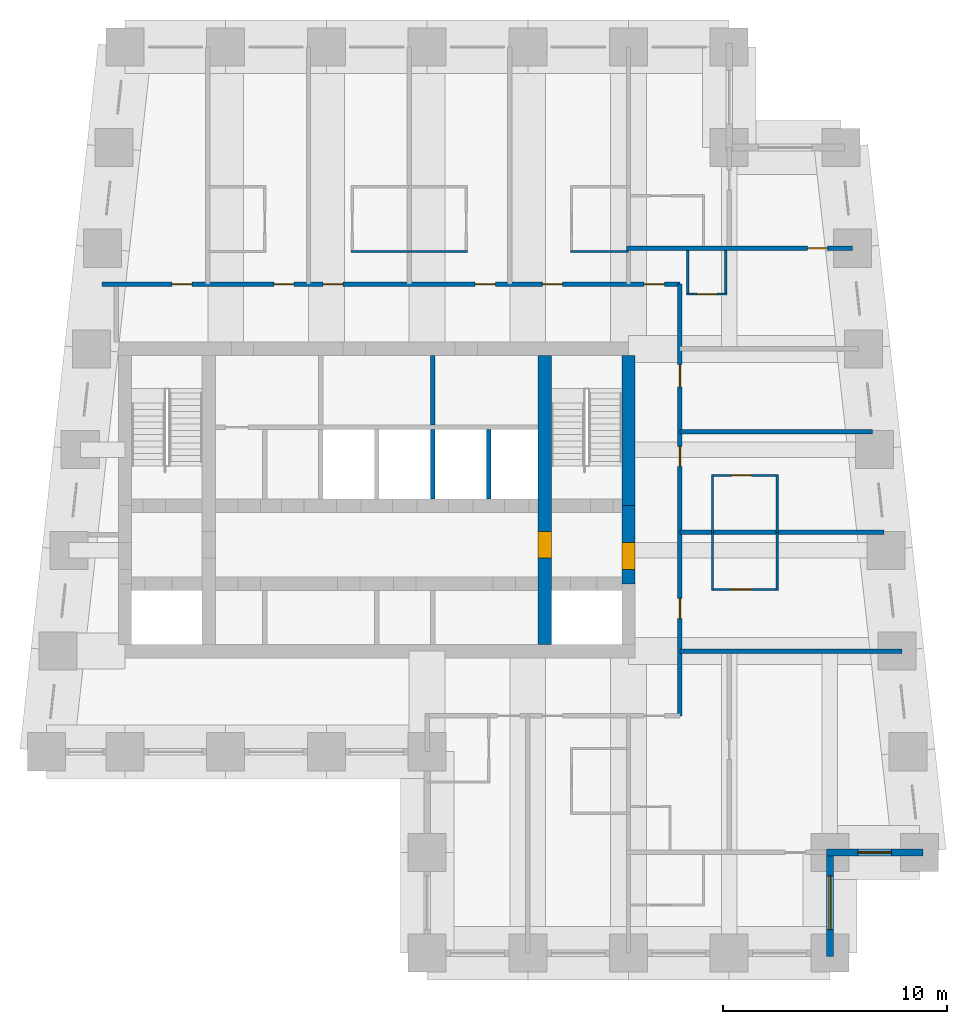
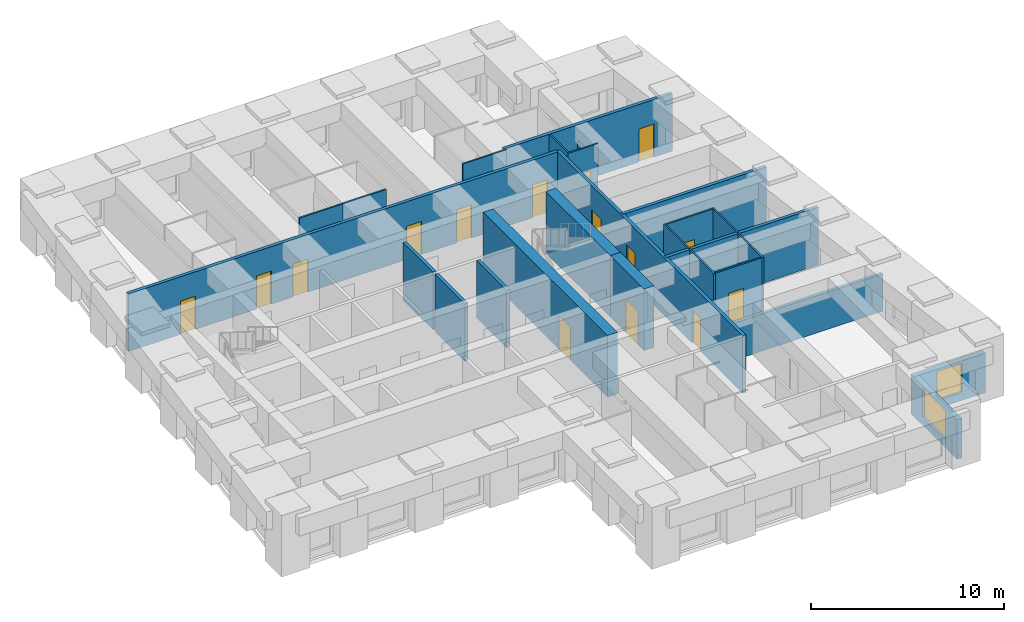
# One storey, part 4 of 7: 26 walls, 15 doors, 2 windows, 17 openings.
"""IFC4 building model written with IfcOpenShell, lengths in metres."""

from ifc_helpers import new_model, si_unit, direction, frame, frame_2d, origin, place, context, subcontext, project, spatial, rectangle, extrude, material, layer, layer_set, type_object, element, fill, save


model = new_model("IFC4")

# Units and contexts
model_context = context("Model", 3, precision=1e-05, world=origin(), true_north=direction((0.0, 1.0)))
body_context = subcontext(model_context, "Body", "Model", "MODEL_VIEW")
ifc_project = project(units=[si_unit("LENGTHUNIT", "METRE"), si_unit("AREAUNIT", "SQUARE_METRE"), si_unit("VOLUMEUNIT", "CUBIC_METRE"), si_unit("PLANEANGLEUNIT", "RADIAN"), si_unit("MASSUNIT", "GRAM", prefix="KILO")], contexts=[model_context])

# Site, building, storey
site_placement = place(None, origin())
site = spatial("IfcSite", under=ifc_project, at=site_placement, CompositionType="ELEMENT")
building_placement = place(site_placement, origin())
building = spatial("IfcBuilding", under=site, at=building_placement, Name="Kilele Tower Hotel", CompositionType="ELEMENT")
storey_placement = place(building_placement, frame((0.0, 0.0, 221.300048828125)))
storey = spatial("IfcBuildingStorey", under=building, at=storey_placement, Name="L57", CompositionType="ELEMENT", Elevation=221.300048828125)

# Walls
ifc_material_1 = material(Name="Moisture-resistant board")
ifc_layer_1 = layer(ifc_material_1, 0.10009765625)
ifc_layer_set_1 = layer_set([ifc_layer_1], Name="Moisture-resistant board")
wall_type_1 = type_object("IfcWallType", Name="Bathroom partition 100", PredefinedType="PLUMBINGWALL", material=ifc_layer_set_1)
for number, where, z_axis, x_axis, name in (
    (1, (39.75, 16.199951171875, 0.0), (0.0, 0.0, 1.0), (0.0, 1.0, 0.0), "Bathroom partition 100 L57"),
    (2, (42.64990234375, 16.199951171875, 0.0), (0.0, 0.0, 1.0), (0.0, 1.0, 0.0), "Bathroom partition 100 L57"),
):
    element("IfcWall", number, at=place(storey_placement, frame(where, z_axis=z_axis, x_axis=x_axis)), inside=storey, type_object=wall_type_1, Name=name, PredefinedType="PLUMBINGWALL", context=body_context, shape_type="SweptSolid", body=[
        extrude(rectangle(XDim=2.60009765625, YDim=0.10009765625, at=frame_2d((1.300048828125, 0.0))), origin(), (0.0, 0.0, 1.0), 3.64990234375),
    ])

# Wall, opening, door
wall_1_placement = place(storey_placement, frame((39.699951171875, 16.25, 0.0), z_axis=(0.0, 0.0, 1.0), x_axis=(1.0, 0.0, 0.0)))
wall_1 = element("IfcWall", 3, at=wall_1_placement, inside=storey, type_object=wall_type_1, Name="Bathroom partition 100 L57", PredefinedType="PLUMBINGWALL", context=body_context, shape_type="SweptSolid", body=[
    extrude(rectangle(XDim=3.0, YDim=0.10009765625, at=frame_2d((1.5, 0.0))), origin(), (0.0, 0.0, 1.0), 3.64990234375),
])
opening_1_placement = place(wall_1_placement, frame((1.7998046875, 0.0, 0.0), z_axis=(0.0, 0.0, 1.0), x_axis=(-1.0, 0.0, 0.0)))
opening_1 = element("IfcOpeningElement", 4, at=opening_1_placement, cuts=wall_1, Name="Opening D2A", PredefinedType="OPENING", context=body_context, shape_type="SweptSolid", body=[
    extrude(rectangle(XDim=0.89990234375, YDim=2.10009765625, at=frame_2d((0.449951171875, 1.050048828125))), frame((0.0, 0.06005859375, 0.0), z_axis=(0.0, -1.0, 0.0), x_axis=(1.0, 0.0, 0.0)), (0.0, 0.0, 1.0), 0.1201171875),
])
ifc_material_2 = material(Name="Timber door leaf in hardwood frame", Category="wood")
door_type_1 = type_object("IfcDoorType", Name="Bathroom door 900", OperationType="SINGLE_SWING_LEFT", PredefinedType="DOOR", material=ifc_material_2)
door_1_placement = place(opening_1_placement, origin())
door_1 = element("IfcDoor", 5, at=door_1_placement, inside=storey, type_object=door_type_1, Name="Bathroom door 5704B", OperationType="SINGLE_SWING_RIGHT", OverallHeight=2.10009765625, OverallWidth=0.89990234375, PredefinedType="DOOR", context=body_context, shape_type="SweptSolid", body=[
    extrude(rectangle(XDim=0.89990234375, YDim=2.10009765625, at=frame_2d((0.449951171875, 1.050048828125))), frame((0.0, 0.02490234375, 0.0), z_axis=(0.0, -1.0, 0.0), x_axis=(1.0, 0.0, 0.0)), (0.0, 0.0, 1.0), 0.050048828125),
])
fill(opening_1, door_1)

# Walls
for number, where, z_axis, x_axis, name in (
    (6, (39.75, 18.800048828125, 0.0), (0.0, 0.0, 1.0), (0.0, 1.0, 0.0), "Bathroom partition 100 L57"),
    (7, (42.64990234375, 18.800048828125, 0.0), (0.0, 0.0, 1.0), (0.0, 1.0, 0.0), "Bathroom partition 100 L57"),
):
    element("IfcWall", number, at=place(storey_placement, frame(where, z_axis=z_axis, x_axis=x_axis)), inside=storey, type_object=wall_type_1, Name=name, PredefinedType="PLUMBINGWALL", context=body_context, shape_type="SweptSolid", body=[
        extrude(rectangle(XDim=2.599853515625, YDim=0.10009765625, at=frame_2d((1.2998046875, 0.0))), origin(), (0.0, 0.0, 1.0), 3.64990234375),
    ])

# Wall, opening, door
wall_2_placement = place(storey_placement, frame((39.699951171875, 21.35009765625, 0.0), z_axis=(0.0, 0.0, 1.0), x_axis=(1.0, 0.0, 0.0)))
wall_2 = element("IfcWall", 8, at=wall_2_placement, inside=storey, type_object=wall_type_1, Name="Bathroom partition 100 L57", PredefinedType="PLUMBINGWALL", context=body_context, shape_type="SweptSolid", body=[
    extrude(rectangle(XDim=3.0, YDim=0.10009765625, at=frame_2d((1.5, 0.0))), origin(), (0.0, 0.0, 1.0), 3.64990234375),
])
opening_2_placement = place(wall_2_placement, frame((0.89990234375, 0.0, 0.0)))
opening_2 = element("IfcOpeningElement", 9, at=opening_2_placement, cuts=wall_2, Name="Opening D2A", PredefinedType="OPENING", context=body_context, shape_type="SweptSolid", body=[
    extrude(rectangle(XDim=0.89990234375, YDim=2.10009765625, at=frame_2d((0.449951171875, 1.050048828125))), frame((0.0, 0.06005859375, 0.0), z_axis=(0.0, -1.0, 0.0), x_axis=(1.0, 0.0, 0.0)), (0.0, 0.0, 1.0), 0.1201171875),
])
door_2_placement = place(opening_2_placement, origin())
door_2 = element("IfcDoor", 10, at=door_2_placement, inside=storey, type_object=door_type_1, Name="Bathroom door 5705B", OperationType="SINGLE_SWING_LEFT", OverallHeight=2.10009765625, OverallWidth=0.89990234375, PredefinedType="DOOR", context=body_context, shape_type="SweptSolid", body=[
    extrude(rectangle(XDim=0.89990234375, YDim=2.10009765625, at=frame_2d((0.449951171875, 1.050048828125))), frame((0.0, 0.02490234375, 0.0), z_axis=(0.0, -1.0, 0.0), x_axis=(1.0, 0.0, 0.0)), (0.0, 0.0, 1.0), 0.050048828125),
])
fill(opening_2, door_2)

# Walls
wall_3_placement = place(storey_placement, frame((23.60009765625, 31.35009765625, 0.0), z_axis=(0.0, 0.0, 1.0), x_axis=(1.0, 0.0, 0.0)))
element("IfcWall", 11, at=wall_3_placement, inside=storey, type_object=wall_type_1, Name="Bathroom partition 100 L57", PredefinedType="PLUMBINGWALL", context=body_context, shape_type="SweptSolid", body=[
    extrude(rectangle(XDim=2.599853515625, YDim=0.10009765625, at=frame_2d((1.2998046875, 0.0))), origin(), (0.0, 0.0, 1.0), 3.64990234375),
])
for number, where, z_axis, x_axis, name in (
    (12, (26.199951171875, 31.35009765625, 0.0), (0.0, 0.0, 1.0), (1.0, 0.0, 0.0), "Bathroom partition 100 L57"),
    (13, (33.39990234375, 31.35009765625, 0.0), (0.0, 0.0, 1.0), (1.0, 0.0, 0.0), "Bathroom partition 100 L57"),
):
    element("IfcWall", number, at=place(storey_placement, frame(where, z_axis=z_axis, x_axis=x_axis)), inside=storey, type_object=wall_type_1, Name=name, PredefinedType="PLUMBINGWALL", context=body_context, shape_type="SweptSolid", body=[
        extrude(rectangle(XDim=2.60009765625, YDim=0.10009765625, at=frame_2d((1.300048828125, 0.0))), origin(), (0.0, 0.0, 1.0), 3.64990234375),
    ])
wall_4_placement = place(storey_placement, frame((40.35009765625, 31.39990234375, 0.0), z_axis=(0.0, 0.0, 1.0), x_axis=(0.0, -1.0, 0.0)))
element("IfcWall", 14, at=wall_4_placement, inside=storey, type_object=wall_type_1, Name="Bathroom partition 100 L57", PredefinedType="PLUMBINGWALL", context=body_context, shape_type="SweptSolid", body=[
    extrude(rectangle(XDim=2.0, YDim=0.10009765625, at=frame_2d((1.0, 0.0))), origin(), (0.0, 0.0, 1.0), 2.64990234375),
])
wall_5_placement = place(storey_placement, frame((38.64990234375, 31.39990234375, 0.0), z_axis=(0.0, 0.0, 1.0), x_axis=(0.0, -1.0, 0.0)))
element("IfcWall", 15, at=wall_5_placement, inside=storey, type_object=wall_type_1, Name="Bathroom partition 100 L57", PredefinedType="PLUMBINGWALL", context=body_context, shape_type="SweptSolid", body=[
    extrude(rectangle(XDim=2.0, YDim=0.10009765625, at=frame_2d((1.0, 0.0))), origin(), (0.0, 0.0, 1.0), 3.64990234375),
])

# Wall, opening, door
wall_6_placement = place(storey_placement, frame((38.60009765625, 29.449951171875, 0.0), z_axis=(0.0, 0.0, 1.0), x_axis=(1.0, 0.0, 0.0)))
wall_6 = element("IfcWall", 16, at=wall_6_placement, inside=storey, type_object=wall_type_1, Name="Bathroom partition 100 L57", PredefinedType="PLUMBINGWALL", context=body_context, shape_type="SweptSolid", body=[
    extrude(rectangle(XDim=1.7998046875, YDim=0.10009765625, at=frame_2d((0.89990234375, 0.0))), origin(), (0.0, 0.0, 1.0), 3.64990234375),
])
opening_3_placement = place(wall_6_placement, frame((1.349853515625, 0.0, 0.0), z_axis=(0.0, 0.0, 1.0), x_axis=(-1.0, 0.0, 0.0)))
opening_3 = element("IfcOpeningElement", 17, at=opening_3_placement, cuts=wall_6, Name="Opening D2A", PredefinedType="OPENING", context=body_context, shape_type="SweptSolid", body=[
    extrude(rectangle(XDim=0.89990234375, YDim=2.10009765625, at=frame_2d((0.449951171875, 1.050048828125))), frame((0.0, 0.06005859375, 0.0), z_axis=(0.0, -1.0, 0.0), x_axis=(1.0, 0.0, 0.0)), (0.0, 0.0, 1.0), 0.1201171875),
])
door_3_placement = place(opening_3_placement, origin())
door_3 = element("IfcDoor", 18, at=door_3_placement, inside=storey, type_object=door_type_1, Name="Bathroom door 5715P", OperationType="SINGLE_SWING_RIGHT", OverallHeight=2.10009765625, OverallWidth=0.89990234375, PredefinedType="DOOR", context=body_context, shape_type="SweptSolid", body=[
    extrude(rectangle(XDim=0.89990234375, YDim=2.10009765625, at=frame_2d((0.449951171875, 1.050048828125))), frame((0.0, 0.02490234375, 0.0), z_axis=(0.0, -1.0, 0.0), x_axis=(1.0, 0.0, 0.0)), (0.0, 0.0, 1.0), 0.050048828125),
])
fill(opening_3, door_3)

ifc_material_3 = material(Name="Concrete C60/75", Category="concrete")
ifc_layer_2 = layer(ifc_material_3, 0.60009765625)
ifc_layer_set_2 = layer_set([ifc_layer_2], Name="Concrete C60/75")
wall_type_2 = type_object("IfcWallType", Name="Core wall 600 C60/75", PredefinedType="SHEAR", material=ifc_layer_set_2)
wall_7_placement = place(storey_placement, frame((32.25, 13.800048828125, 0.0), z_axis=(0.0, 0.0, 1.0), x_axis=(0.0, 1.0, 0.0)))
wall_7 = element("IfcWall", 19, at=wall_7_placement, inside=storey, type_object=wall_type_2, Name="Core wall IE L57", PredefinedType="SHEAR", context=body_context, shape_type="SweptSolid", body=[
    extrude(rectangle(XDim=12.89990234375, YDim=0.60009765625, at=frame_2d((6.449951171875, 0.0))), origin(), (0.0, 0.0, 1.0), 3.89990234375),
])
opening_4_placement = place(wall_7_placement, frame((5.050048828125, 0.0, 0.0), z_axis=(0.0, 0.0, 1.0), x_axis=(-1.0, 0.0, 0.0)))
opening_4 = element("IfcOpeningElement", 20, at=opening_4_placement, cuts=wall_7, Name="Opening D4", PredefinedType="OPENING", context=body_context, shape_type="SweptSolid", body=[
    extrude(rectangle(XDim=1.199951171875, YDim=2.10009765625, at=frame_2d((0.60009765625, 1.050048828125))), frame((0.0, 0.31005859375, 0.0), z_axis=(0.0, -1.0, 0.0), x_axis=(1.0, 0.0, 0.0)), (0.0, 0.0, 1.0), 0.6201171875),
])
ifc_material_4 = material(Name="Timber door leaf in hardwood frame", Category="wood")
door_type_2 = type_object("IfcDoorType", Name="Firefighting lobby door 1200", OperationType="SINGLE_SWING_LEFT", PredefinedType="DOOR", material=ifc_material_4)
door_4_placement = place(opening_4_placement, origin())
door_4 = element("IfcDoor", 21, at=door_4_placement, inside=storey, type_object=door_type_2, Name="Lobby door L57", OperationType="SINGLE_SWING_RIGHT", OverallHeight=2.10009765625, OverallWidth=1.199951171875, PredefinedType="DOOR", context=body_context, shape_type="SweptSolid", body=[
    extrude(rectangle(XDim=1.199951171875, YDim=2.10009765625, at=frame_2d((0.60009765625, 1.050048828125))), frame((0.0, 0.2998046875, 0.0), z_axis=(0.0, -1.0, 0.0), x_axis=(1.0, 0.0, 0.0)), (0.0, 0.0, 1.0), 0.599609375),
])
fill(opening_4, door_4)

wall_8_placement = place(storey_placement, frame((36.0, 16.5, 0.0), z_axis=(0.0, 0.0, 1.0), x_axis=(0.0, 1.0, 0.0)))
wall_8 = element("IfcWall", 22, at=wall_8_placement, inside=storey, type_object=wall_type_2, Name="Core wall E2 L57", PredefinedType="SHEAR", context=body_context, shape_type="SweptSolid", body=[
    extrude(rectangle(XDim=3.5, YDim=0.60009765625, at=frame_2d((1.75, 0.0))), origin(), (0.0, 0.0, 1.0), 3.89990234375),
])
opening_5_placement = place(wall_8_placement, frame((0.64990234375, 0.0, 0.0)))
opening_5 = element("IfcOpeningElement", 23, at=opening_5_placement, cuts=wall_8, Name="Opening D4", PredefinedType="OPENING", context=body_context, shape_type="SweptSolid", body=[
    extrude(rectangle(XDim=1.199951171875, YDim=2.10009765625, at=frame_2d((0.60009765625, 1.050048828125))), frame((0.0, 0.31005859375, 0.0), z_axis=(0.0, -1.0, 0.0), x_axis=(1.0, 0.0, 0.0)), (0.0, 0.0, 1.0), 0.6201171875),
])
door_5_placement = place(opening_5_placement, origin())
door_5 = element("IfcDoor", 24, at=door_5_placement, inside=storey, type_object=door_type_2, Name="Lobby door L57", OperationType="SINGLE_SWING_LEFT", OverallHeight=2.10009765625, OverallWidth=1.199951171875, PredefinedType="DOOR", context=body_context, shape_type="SweptSolid", body=[
    extrude(rectangle(XDim=1.199951171875, YDim=2.10009765625, at=frame_2d((0.60009765625, 1.050048828125))), frame((0.0, 0.2998046875, 0.0), z_axis=(0.0, -1.0, 0.0), x_axis=(1.0, 0.0, 0.0)), (0.0, 0.0, 1.0), 0.599609375),
])
fill(opening_5, door_5)

# Wall
wall_9_placement = place(storey_placement, frame((36.0, 20.0, 0.0), z_axis=(0.0, 0.0, 1.0), x_axis=(0.0, 1.0, 0.0)))
element("IfcWall", 25, at=wall_9_placement, inside=storey, type_object=wall_type_2, Name="Core wall E3 L57", PredefinedType="SHEAR", context=body_context, shape_type="SweptSolid", body=[
    extrude(rectangle(XDim=6.699951171875, YDim=0.60009765625, at=frame_2d((3.35009765625, 0.0))), origin(), (0.0, 0.0, 1.0), 3.89990234375),
])

# Wall, openings, doors
ifc_material_5 = material(Name="Blockwork, plastered both sides", Category="masonry")
ifc_layer_3 = layer(ifc_material_5, 0.199951171875)
ifc_layer_set_3 = layer_set([ifc_layer_3], Name="Blockwork, plastered both sides")
wall_type_3 = type_object("IfcWallType", Name="Corridor wall 200", PredefinedType="PARTITIONING", material=ifc_layer_set_3)
wall_10_placement = place(storey_placement, frame((12.47314453125, 29.89990234375, 0.0), z_axis=(0.0, 0.0, 1.0), x_axis=(1.0, 0.0, 0.0)))
wall_10 = element("IfcWall", 26, at=wall_10_placement, inside=storey, type_object=wall_type_3, Name="Corridor wall 200 L57", PredefinedType="PARTITIONING", context=body_context, shape_type="SweptSolid", body=[
    extrude(rectangle(XDim=25.826904296875, YDim=0.199951171875, at=frame_2d((12.91357421875, 0.0))), origin(), (0.0, 0.0, 1.0), 3.64990234375),
])
opening_6_placement = place(wall_10_placement, frame((3.126953125, 0.0, 0.0)))
opening_6 = element("IfcOpeningElement", 27, at=opening_6_placement, cuts=wall_10, Name="Opening D1", PredefinedType="OPENING", context=body_context, shape_type="SweptSolid", body=[
    extrude(rectangle(XDim=0.89990234375, YDim=2.10009765625, at=frame_2d((0.449951171875, 1.050048828125))), frame((0.0, 0.10986328125, 0.0), z_axis=(0.0, -1.0, 0.0), x_axis=(1.0, 0.0, 0.0)), (0.0, 0.0, 1.0), 0.219970703125),
])
opening_7_placement = place(wall_10_placement, frame((7.677001953125, 0.0, 0.0)))
opening_7 = element("IfcOpeningElement", 28, at=opening_7_placement, cuts=wall_10, Name="Opening D1", PredefinedType="OPENING", context=body_context, shape_type="SweptSolid", body=[
    extrude(rectangle(XDim=0.89990234375, YDim=2.10009765625, at=frame_2d((0.449951171875, 1.050048828125))), frame((0.0, 0.10986328125, 0.0), z_axis=(0.0, -1.0, 0.0), x_axis=(1.0, 0.0, 0.0)), (0.0, 0.0, 1.0), 0.219970703125),
])
opening_8_placement = place(wall_10_placement, frame((9.876953125, 0.0, 0.0)))
opening_8 = element("IfcOpeningElement", 29, at=opening_8_placement, cuts=wall_10, Name="Opening D1", PredefinedType="OPENING", context=body_context, shape_type="SweptSolid", body=[
    extrude(rectangle(XDim=0.89990234375, YDim=2.10009765625, at=frame_2d((0.449951171875, 1.050048828125))), frame((0.0, 0.10986328125, 0.0), z_axis=(0.0, -1.0, 0.0), x_axis=(1.0, 0.0, 0.0)), (0.0, 0.0, 1.0), 0.219970703125),
])
opening_9_placement = place(wall_10_placement, frame((16.677001953125, 0.0, 0.0)))
opening_9 = element("IfcOpeningElement", 30, at=opening_9_placement, cuts=wall_10, Name="Opening D1", PredefinedType="OPENING", context=body_context, shape_type="SweptSolid", body=[
    extrude(rectangle(XDim=0.89990234375, YDim=2.10009765625, at=frame_2d((0.449951171875, 1.050048828125))), frame((0.0, 0.10986328125, 0.0), z_axis=(0.0, -1.0, 0.0), x_axis=(1.0, 0.0, 0.0)), (0.0, 0.0, 1.0), 0.219970703125),
])
opening_10_placement = place(wall_10_placement, frame((19.677001953125, 0.0, 0.0)))
opening_10 = element("IfcOpeningElement", 31, at=opening_10_placement, cuts=wall_10, Name="Opening D1", PredefinedType="OPENING", context=body_context, shape_type="SweptSolid", body=[
    extrude(rectangle(XDim=0.89990234375, YDim=2.10009765625, at=frame_2d((0.449951171875, 1.050048828125))), frame((0.0, 0.10986328125, 0.0), z_axis=(0.0, -1.0, 0.0), x_axis=(1.0, 0.0, 0.0)), (0.0, 0.0, 1.0), 0.219970703125),
])
opening_11_placement = place(wall_10_placement, frame((24.226806640625, 0.0, 0.0)))
opening_11 = element("IfcOpeningElement", 32, at=opening_11_placement, cuts=wall_10, Name="Opening D1", PredefinedType="OPENING", context=body_context, shape_type="SweptSolid", body=[
    extrude(rectangle(XDim=0.89990234375, YDim=2.10009765625, at=frame_2d((0.449951171875, 1.050048828125))), frame((0.0, 0.10986328125, 0.0), z_axis=(0.0, -1.0, 0.0), x_axis=(1.0, 0.0, 0.0)), (0.0, 0.0, 1.0), 0.219970703125),
])
ifc_material_6 = material(Name="Timber door leaf in hardwood frame", Category="wood")
door_type_3 = type_object("IfcDoorType", Name="Guest room entrance door 900", OperationType="SINGLE_SWING_LEFT", PredefinedType="DOOR", material=ifc_material_6)
door_6_placement = place(opening_6_placement, origin())
door_6 = element("IfcDoor", 33, at=door_6_placement, inside=storey, type_object=door_type_3, Name="Room entrance 5707", OperationType="SINGLE_SWING_RIGHT", OverallHeight=2.10009765625, OverallWidth=0.89990234375, PredefinedType="DOOR", context=body_context, shape_type="SweptSolid", body=[
    extrude(rectangle(XDim=0.89990234375, YDim=2.10009765625, at=frame_2d((0.449951171875, 1.050048828125))), frame((0.0, 0.02490234375, 0.0), z_axis=(0.0, -1.0, 0.0), x_axis=(1.0, 0.0, 0.0)), (0.0, 0.0, 1.0), 0.050048828125),
])
fill(opening_6, door_6)
door_7_placement = place(opening_7_placement, origin())
door_7 = element("IfcDoor", 34, at=door_7_placement, inside=storey, type_object=door_type_3, Name="Room entrance 5708", OperationType="SINGLE_SWING_RIGHT", OverallHeight=2.10009765625, OverallWidth=0.89990234375, PredefinedType="DOOR", context=body_context, shape_type="SweptSolid", body=[
    extrude(rectangle(XDim=0.89990234375, YDim=2.10009765625, at=frame_2d((0.449951171875, 1.050048828125))), frame((0.0, 0.02490234375, 0.0), z_axis=(0.0, -1.0, 0.0), x_axis=(1.0, 0.0, 0.0)), (0.0, 0.0, 1.0), 0.050048828125),
])
fill(opening_7, door_7)
door_8_placement = place(opening_8_placement, origin())
door_8 = element("IfcDoor", 35, at=door_8_placement, inside=storey, type_object=door_type_3, Name="Room entrance 5709", OperationType="SINGLE_SWING_LEFT", OverallHeight=2.10009765625, OverallWidth=0.89990234375, PredefinedType="DOOR", context=body_context, shape_type="SweptSolid", body=[
    extrude(rectangle(XDim=0.89990234375, YDim=2.10009765625, at=frame_2d((0.449951171875, 1.050048828125))), frame((0.0, 0.02490234375, 0.0), z_axis=(0.0, -1.0, 0.0), x_axis=(1.0, 0.0, 0.0)), (0.0, 0.0, 1.0), 0.050048828125),
])
fill(opening_8, door_8)
door_9_placement = place(opening_9_placement, origin())
door_9 = element("IfcDoor", 36, at=door_9_placement, inside=storey, type_object=door_type_3, Name="Room entrance 5710", OperationType="SINGLE_SWING_RIGHT", OverallHeight=2.10009765625, OverallWidth=0.89990234375, PredefinedType="DOOR", context=body_context, shape_type="SweptSolid", body=[
    extrude(rectangle(XDim=0.89990234375, YDim=2.10009765625, at=frame_2d((0.449951171875, 1.050048828125))), frame((0.0, 0.02490234375, 0.0), z_axis=(0.0, -1.0, 0.0), x_axis=(1.0, 0.0, 0.0)), (0.0, 0.0, 1.0), 0.050048828125),
])
fill(opening_9, door_9)
door_10_placement = place(opening_10_placement, origin())
door_10 = element("IfcDoor", 37, at=door_10_placement, inside=storey, type_object=door_type_3, Name="Room entrance 5711", OperationType="SINGLE_SWING_LEFT", OverallHeight=2.10009765625, OverallWidth=0.89990234375, PredefinedType="DOOR", context=body_context, shape_type="SweptSolid", body=[
    extrude(rectangle(XDim=0.89990234375, YDim=2.10009765625, at=frame_2d((0.449951171875, 1.050048828125))), frame((0.0, 0.02490234375, 0.0), z_axis=(0.0, -1.0, 0.0), x_axis=(1.0, 0.0, 0.0)), (0.0, 0.0, 1.0), 0.050048828125),
])
fill(opening_10, door_10)
door_11_placement = place(opening_11_placement, origin())
door_11 = element("IfcDoor", 38, at=door_11_placement, inside=storey, type_object=door_type_3, Name="Room entrance 5715", OperationType="SINGLE_SWING_LEFT", OverallHeight=2.10009765625, OverallWidth=0.89990234375, PredefinedType="DOOR", context=body_context, shape_type="SweptSolid", body=[
    extrude(rectangle(XDim=0.89990234375, YDim=2.10009765625, at=frame_2d((0.449951171875, 1.050048828125))), frame((0.0, 0.02490234375, 0.0), z_axis=(0.0, -1.0, 0.0), x_axis=(1.0, 0.0, 0.0)), (0.0, 0.0, 1.0), 0.050048828125),
])
fill(opening_11, door_11)

wall_11_placement = place(storey_placement, frame((38.300048828125, 10.60009765625, 0.0), z_axis=(0.0, 0.0, 1.0), x_axis=(0.0, 1.0, 0.0)))
wall_11 = element("IfcWall", 39, at=wall_11_placement, inside=storey, type_object=wall_type_3, Name="Corridor wall 200 L57", PredefinedType="PARTITIONING", context=body_context, shape_type="SweptSolid", body=[
    extrude(rectangle(XDim=19.2998046875, YDim=0.199951171875, at=frame_2d((9.64990234375, 0.0))), origin(), (0.0, 0.0, 1.0), 3.64990234375),
])
opening_12_placement = place(wall_11_placement, frame((5.25, 0.0, 0.0), z_axis=(0.0, 0.0, 1.0), x_axis=(-1.0, 0.0, 0.0)))
opening_12 = element("IfcOpeningElement", 40, at=opening_12_placement, cuts=wall_11, Name="Opening D1", PredefinedType="OPENING", context=body_context, shape_type="SweptSolid", body=[
    extrude(rectangle(XDim=0.89990234375, YDim=2.10009765625, at=frame_2d((0.449951171875, 1.050048828125))), frame((0.0, 0.10986328125, 0.0), z_axis=(0.0, -1.0, 0.0), x_axis=(1.0, 0.0, 0.0)), (0.0, 0.0, 1.0), 0.219970703125),
])
opening_13_placement = place(wall_11_placement, frame((12.0498046875, 0.0, 0.0), z_axis=(0.0, 0.0, 1.0), x_axis=(-1.0, 0.0, 0.0)))
opening_13 = element("IfcOpeningElement", 41, at=opening_13_placement, cuts=wall_11, Name="Opening D1", PredefinedType="OPENING", context=body_context, shape_type="SweptSolid", body=[
    extrude(rectangle(XDim=0.89990234375, YDim=2.10009765625, at=frame_2d((0.449951171875, 1.050048828125))), frame((0.0, 0.10986328125, 0.0), z_axis=(0.0, -1.0, 0.0), x_axis=(1.0, 0.0, 0.0)), (0.0, 0.0, 1.0), 0.219970703125),
])
opening_14_placement = place(wall_11_placement, frame((15.699951171875, 0.0, 0.0), z_axis=(0.0, 0.0, 1.0), x_axis=(-1.0, 0.0, 0.0)))
opening_14 = element("IfcOpeningElement", 42, at=opening_14_placement, cuts=wall_11, Name="Opening D8", PredefinedType="OPENING", context=body_context, shape_type="SweptSolid", body=[
    extrude(rectangle(XDim=1.0, YDim=2.10009765625, at=frame_2d((0.5, 1.050048828125))), frame((0.0, 0.10986328125, 0.0), z_axis=(0.0, -1.0, 0.0), x_axis=(1.0, 0.0, 0.0)), (0.0, 0.0, 1.0), 0.219970703125),
])
ifc_material_7 = material(Name="Timber door leaf in hardwood frame", Category="wood")
door_type_4 = type_object("IfcDoorType", Name="Door 1000", OperationType="SINGLE_SWING_LEFT", PredefinedType="DOOR", material=ifc_material_7)
door_12_placement = place(opening_14_placement, origin())
door_12 = element("IfcDoor", 43, at=door_12_placement, inside=storey, type_object=door_type_4, Name="Room entrance 5706", OperationType="SINGLE_SWING_LEFT", OverallHeight=2.10009765625, OverallWidth=1.0, PredefinedType="DOOR", context=body_context, shape_type="SweptSolid", body=[
    extrude(rectangle(XDim=1.0, YDim=2.10009765625, at=frame_2d((0.5, 1.050048828125))), frame((0.0, 0.02490234375, 0.0), z_axis=(0.0, -1.0, 0.0), x_axis=(1.0, 0.0, 0.0)), (0.0, 0.0, 1.0), 0.050048828125),
])
fill(opening_14, door_12)
door_13_placement = place(opening_12_placement, origin())
door_13 = element("IfcDoor", 44, at=door_13_placement, inside=storey, type_object=door_type_3, Name="Room entrance 5704", OperationType="SINGLE_SWING_RIGHT", OverallHeight=2.10009765625, OverallWidth=0.89990234375, PredefinedType="DOOR", context=body_context, shape_type="SweptSolid", body=[
    extrude(rectangle(XDim=0.89990234375, YDim=2.10009765625, at=frame_2d((0.449951171875, 1.050048828125))), frame((0.0, 0.02490234375, 0.0), z_axis=(0.0, -1.0, 0.0), x_axis=(1.0, 0.0, 0.0)), (0.0, 0.0, 1.0), 0.050048828125),
])
fill(opening_12, door_13)
door_14_placement = place(opening_13_placement, origin())
door_14 = element("IfcDoor", 45, at=door_14_placement, inside=storey, type_object=door_type_3, Name="Room entrance 5705", OperationType="SINGLE_SWING_LEFT", OverallHeight=2.10009765625, OverallWidth=0.89990234375, PredefinedType="DOOR", context=body_context, shape_type="SweptSolid", body=[
    extrude(rectangle(XDim=0.89990234375, YDim=2.10009765625, at=frame_2d((0.449951171875, 1.050048828125))), frame((0.0, 0.02490234375, 0.0), z_axis=(0.0, -1.0, 0.0), x_axis=(1.0, 0.0, 0.0)), (0.0, 0.0, 1.0), 0.050048828125),
])
fill(opening_13, door_14)

# Walls
ifc_material_8 = material(Name="Blockwork, plastered both sides", Category="masonry")
ifc_layer_4 = layer(ifc_material_8, 0.199951171875)
ifc_layer_set_4 = layer_set([ifc_layer_4], Name="Blockwork, plastered both sides")
wall_type_4 = type_object("IfcWallType", Name="Party wall 200", PredefinedType="PARTITIONING", material=ifc_layer_set_4)
wall_12_placement = place(storey_placement, frame((38.300048828125, 18.800048828125, 0.0), z_axis=(0.0, 0.0, 1.0), x_axis=(1.0, 0.0, 0.0)))
element("IfcWall", 46, at=wall_12_placement, inside=storey, type_object=wall_type_4, Name="Party wall 200 L57", PredefinedType="PARTITIONING", context=body_context, shape_type="SweptSolid", body=[
    extrude(rectangle(XDim=9.110107421875, YDim=0.199951171875, at=frame_2d((4.55517578125, 0.0))), origin(), (0.0, 0.0, 1.0), 3.64990234375),
])
wall_13_placement = place(storey_placement, frame((38.300048828125, 23.300048828125, 0.0), z_axis=(0.0, 0.0, 1.0), x_axis=(1.0, 0.0, 0.0)))
element("IfcWall", 47, at=wall_13_placement, inside=storey, type_object=wall_type_4, Name="Party wall 200 L57", PredefinedType="PARTITIONING", context=body_context, shape_type="SweptSolid", body=[
    extrude(rectangle(XDim=8.610107421875, YDim=0.199951171875, at=frame_2d((4.30517578125, 0.0))), origin(), (0.0, 0.0, 1.0), 3.64990234375),
])
wall_14_placement = place(storey_placement, frame((38.300048828125, 13.5, 0.0), z_axis=(0.0, 0.0, 1.0), x_axis=(1.0, 0.0, 0.0)))
element("IfcWall", 48, at=wall_14_placement, inside=storey, type_object=wall_type_4, Name="Party wall 200 L57", PredefinedType="PARTITIONING", context=body_context, shape_type="SweptSolid", body=[
    extrude(rectangle(XDim=9.921142578125, YDim=0.199951171875, at=frame_2d((4.96044921875, 0.0))), origin(), (0.0, 0.0, 1.0), 2.349853515625),
])

# Wall, opening, door
wall_15_placement = place(storey_placement, frame((35.89990234375, 31.5, 0.0), z_axis=(0.0, 0.0, 1.0), x_axis=(1.0, 0.0, 0.0)))
wall_15 = element("IfcWall", 49, at=wall_15_placement, inside=storey, type_object=wall_type_4, Name="Party wall 200 L57", PredefinedType="PARTITIONING", context=body_context, shape_type="SweptSolid", body=[
    extrude(rectangle(XDim=10.09912109375, YDim=0.199951171875, at=frame_2d((5.049560546875, 0.0))), origin(), (0.0, 0.0, 1.0), 3.64990234375),
])
opening_15_placement = place(wall_15_placement, frame((8.09912109375, 0.0, 0.0)))
opening_15 = element("IfcOpeningElement", 50, at=opening_15_placement, cuts=wall_15, Name="Opening D3", PredefinedType="OPENING", context=body_context, shape_type="SweptSolid", body=[
    extrude(rectangle(XDim=0.89990234375, YDim=2.10009765625, at=frame_2d((0.449951171875, 1.050048828125))), frame((0.0, 0.10986328125, 0.0), z_axis=(0.0, -1.0, 0.0), x_axis=(1.0, 0.0, 0.0)), (0.0, 0.0, 1.0), 0.219970703125),
])
ifc_material_9 = material(Name="Timber door leaf in hardwood frame", Category="wood")
door_type_5 = type_object("IfcDoorType", Name="Suite internal door 900", OperationType="SINGLE_SWING_LEFT", PredefinedType="DOOR", material=ifc_material_9)
door_15_placement = place(opening_15_placement, origin())
door_15 = element("IfcDoor", 51, at=door_15_placement, inside=storey, type_object=door_type_5, Name="Suite door 5716", OperationType="SINGLE_SWING_RIGHT", OverallHeight=2.10009765625, OverallWidth=0.89990234375, PredefinedType="DOOR", context=body_context, shape_type="SweptSolid", body=[
    extrude(rectangle(XDim=0.89990234375, YDim=2.10009765625, at=frame_2d((0.449951171875, 1.050048828125))), frame((0.0, 0.02490234375, 0.0), z_axis=(0.0, -1.0, 0.0), x_axis=(1.0, 0.0, 0.0)), (0.0, 0.0, 1.0), 0.050048828125),
])
fill(opening_15, door_15)

# Wall, opening, window
ifc_material_10 = material(Name="Concrete C40/50 precast", Category="concrete")
ifc_layer_5 = layer(ifc_material_10, 0.260009765625, Name="Precast backing", Category="LoadBearing")
ifc_material_11 = material(Name="Reconstituted stone finish", Category="masonry")
ifc_layer_6 = layer(ifc_material_11, 0.0400390625, Name="Face mix", Category="Finish")
ifc_layer_set_5 = layer_set([ifc_layer_5, ifc_layer_6], Name="Precast concrete C40/50, reconstituted stone finish")
wall_type_5 = type_object("IfcWallType", Name="Precast stone facade wall 300", PredefinedType="STANDARD", material=ifc_layer_set_5)
wall_16_placement = place(storey_placement, frame((45.0, -0.14990234375, 0.0), z_axis=(0.0, 0.0, 1.0), x_axis=(0.0, 1.0, 0.0)))
wall_16 = element("IfcWall", 52, at=wall_16_placement, inside=storey, type_object=wall_type_5, Name="Facade wall L57 edge 4", PredefinedType="STANDARD", context=body_context, shape_type="SweptSolid", body=[
    extrude(rectangle(XDim=4.7998046875, YDim=0.300048828125, at=frame_2d((2.39990234375, 0.0))), origin(), (0.0, 0.0, 1.0), 2.5),
])
opening_16_placement = place(wall_16_placement, frame((1.199951171875, 0.0, 0.5)))
opening_16 = element("IfcOpeningElement", 53, at=opening_16_placement, cuts=wall_16, Name="Opening W4", PredefinedType="OPENING", context=body_context, shape_type="SweptSolid", body=[
    extrude(rectangle(XDim=2.39990234375, YDim=1.85009765625, at=frame_2d((1.199951171875, 0.925048828125))), frame((0.0, 0.159912109375, 0.0), z_axis=(0.0, -1.0, 0.0), x_axis=(1.0, 0.0, 0.0)), (0.0, 0.0, 1.0), 0.320068359375),
])
ifc_material_12 = material(Name="Aluminium frame, clear double glazing", Category="aluminium")
window_type_1 = type_object("IfcWindowType", Name="Window W4 2400 x 1850", PartitioningType="SINGLE_PANEL", PredefinedType="WINDOW", material=ifc_material_12)
window_1_placement = place(opening_16_placement, origin())
window_1 = element("IfcWindow", 54, at=window_1_placement, inside=storey, type_object=window_type_1, Name="Window L57", OverallHeight=1.85009765625, OverallWidth=2.39990234375, PartitioningType="SINGLE_PANEL", PredefinedType="WINDOW", context=body_context, shape_type="SweptSolid", body=[
    extrude(rectangle(XDim=2.39990234375, YDim=1.85009765625, at=frame_2d((1.199951171875, 0.925048828125))), frame((0.0, 0.030029296875, 0.0), z_axis=(0.0, -1.0, 0.0), x_axis=(1.0, 0.0, 0.0)), (0.0, 0.0, 1.0), 0.06005859375),
])
fill(opening_16, window_1)

wall_17_placement = place(storey_placement, frame((44.85009765625, 4.5, 0.0), z_axis=(0.0, 0.0, 1.0), x_axis=(1.0, 0.0, 0.0)))
wall_17 = element("IfcWall", 55, at=wall_17_placement, inside=storey, type_object=wall_type_5, Name="Facade wall L57 edge 5", PredefinedType="STANDARD", context=body_context, shape_type="SweptSolid", body=[
    extrude(rectangle(XDim=4.2998046875, YDim=0.300048828125, at=frame_2d((2.14990234375, 0.0))), origin(), (0.0, 0.0, 1.0), 2.5),
])
opening_17_placement = place(wall_17_placement, frame((1.39990234375, 0.0, 0.5)))
opening_17 = element("IfcOpeningElement", 56, at=opening_17_placement, cuts=wall_17, Name="Opening W4", PredefinedType="OPENING", context=body_context, shape_type="SweptSolid", body=[
    extrude(rectangle(XDim=1.5, YDim=1.85009765625, at=frame_2d((0.75, 0.925048828125))), frame((0.0, 0.159912109375, 0.0), z_axis=(0.0, -1.0, 0.0), x_axis=(1.0, 0.0, 0.0)), (0.0, 0.0, 1.0), 0.320068359375),
])
ifc_material_13 = material(Name="Aluminium frame, clear double glazing", Category="aluminium")
window_type_2 = type_object("IfcWindowType", Name="Window W4 1500 x 1850", PartitioningType="SINGLE_PANEL", PredefinedType="WINDOW", material=ifc_material_13)
window_2_placement = place(opening_17_placement, origin())
window_2 = element("IfcWindow", 57, at=window_2_placement, inside=storey, type_object=window_type_2, Name="Window L57", OverallHeight=1.85009765625, OverallWidth=1.5, PartitioningType="SINGLE_PANEL", PredefinedType="WINDOW", context=body_context, shape_type="SweptSolid", body=[
    extrude(rectangle(XDim=1.5, YDim=1.85009765625, at=frame_2d((0.75, 0.925048828125))), frame((0.0, 0.030029296875, 0.0), z_axis=(0.0, -1.0, 0.0), x_axis=(1.0, 0.0, 0.0)), (0.0, 0.0, 1.0), 0.06005859375),
])
fill(opening_17, window_2)

# Walls
ifc_material_14 = material(Name="Blockwork, fire-rated", Category="masonry")
ifc_layer_7 = layer(ifc_material_14, 0.199951171875)
ifc_layer_set_6 = layer_set([ifc_layer_7], Name="Blockwork, fire-rated")
wall_type_6 = type_object("IfcWallType", Name="Shaft wall 200", PredefinedType="PARTITIONING", material=ifc_layer_set_6)
for number, where, z_axis, x_axis, name in (
    (58, (27.25, 20.300048828125, 0.0), (0.0, 0.0, 1.0), (0.0, 1.0, 0.0), "Shaft wall 200 L57"),
    (59, (29.75, 20.300048828125, 0.0), (0.0, 0.0, 1.0), (0.0, 1.0, 0.0), "Shaft wall 200 L57"),
    (60, (27.25, 23.60009765625, 0.0), (0.0, 0.0, 1.0), (0.0, 1.0, 0.0), "Shaft wall 200 L57"),
):
    element("IfcWall", number, at=place(storey_placement, frame(where, z_axis=z_axis, x_axis=x_axis)), inside=storey, type_object=wall_type_6, Name=name, PredefinedType="PARTITIONING", context=body_context, shape_type="SweptSolid", body=[
        extrude(rectangle(XDim=3.099853515625, YDim=0.199951171875, at=frame_2d((1.5498046875, 0.0))), origin(), (0.0, 0.0, 1.0), 3.64990234375),
    ])

save(model, "model.ifc")
